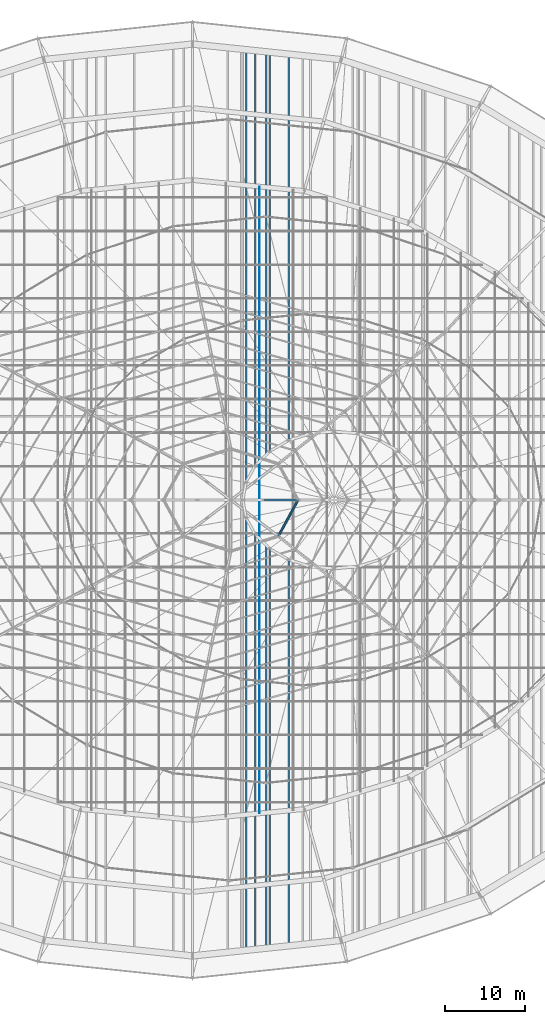
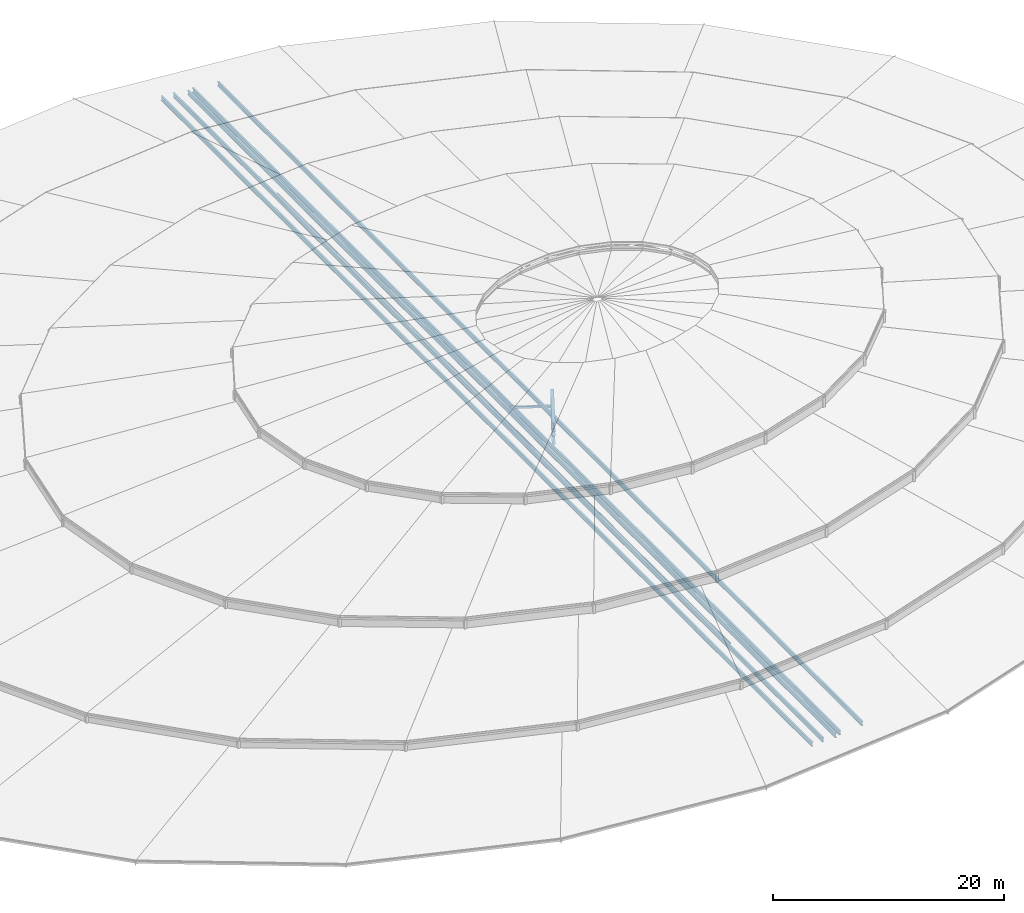
# One storey, part 64 of 184: 8 members, 2 beams.
"""IFC4 building model written with IfcOpenShell, lengths in metres."""

import ifcopenshell
import ifcopenshell.guid

model = None  # the IFC model being written
_history = None  # IfcOwnerHistory: only IFC2X3 demands one
_inside = {}  # id of a spatial element -> (the spatial element, [elements in it])
_under = {}  # id of a project, library or spatial element -> (it, [spatial elements below it])
_declared = {}  # id of a project -> (the project, [libraries it declares])
_typed = {}  # id of a type object -> (the type object, [elements of that type])
_made_of = {}  # id of a material, layer set ... -> (it, [elements and type objects made of it])


def new_model(schema):
    """Start an empty IFC model of exactly this schema.

    Asked for "IFC4X3", IfcOpenShell would pick the latest addendum, in which some entities
    have other attributes; the version numbers below select the first issue.
    IFC2X3 requires an IfcOwnerHistory on every rooted entity: one is made here for all.
    """
    global model, _history
    if schema == "IFC4X3":
        model = ifcopenshell.file(schema_version=(4, 3, 0, 0))
    else:
        model = ifcopenshell.file(schema=schema)
    _inside.clear()
    _under.clear()
    _declared.clear()
    _typed.clear()
    _made_of.clear()
    _history = None
    if model.schema == "IFC2X3":
        org = make("IfcOrganization", Name="unknown")
        user = make(
            "IfcPersonAndOrganization",
            ThePerson=make("IfcPerson", FamilyName="unknown"),
            TheOrganization=org,
        )
        app = make(
            "IfcApplication",
            ApplicationDeveloper=org,
            Version="unknown",
            ApplicationFullName="unknown",
            ApplicationIdentifier="unknown",
        )
        _history = make(
            "IfcOwnerHistory",
            OwningUser=user,
            OwningApplication=app,
            ChangeAction="ADDED",
            CreationDate=0,
        )
    return model


def make(cls, **values):
    """One entity of the class cls with the attributes given. An attribute that is None is left unset."""
    return model.create_entity(
        cls, **{name: value for name, value in values.items() if value is not None}
    )


def rooted(cls, **values):
    """An entity with a GlobalId (a new one), such as an element, a storey or a relation."""
    return make(cls, GlobalId=ifcopenshell.guid.new(), OwnerHistory=_history, **values)


def si_unit(unit_type, name, prefix=None):
    """IfcSIUnit, for example si_unit("LENGTHUNIT", "METRE", prefix="MILLI")."""
    return make("IfcSIUnit", UnitType=unit_type, Prefix=prefix, Name=name)


def assignment(units):
    """IfcUnitAssignment: the units of a project."""
    return None if units is None else make("IfcUnitAssignment", Units=units)


def point(xyz):
    """IfcCartesianPoint."""
    return None if xyz is None else make("IfcCartesianPoint", Coordinates=xyz)


def direction(xyz):
    """IfcDirection."""
    return None if xyz is None else make("IfcDirection", DirectionRatios=xyz)


def frame(location, z_axis=None, x_axis=None):
    """IfcAxis2Placement3D, a coordinate frame: its origin and axes. An axis left out is left unset."""
    return make(
        "IfcAxis2Placement3D",
        Location=point(location),
        Axis=direction(z_axis),
        RefDirection=direction(x_axis),
    )


def frame_2d(location, x_axis=None):
    """IfcAxis2Placement2D, a coordinate frame in the plane: its origin and x axis."""
    return make(
        "IfcAxis2Placement2D", Location=point(location), RefDirection=direction(x_axis)
    )


def origin():
    """The frame at (0, 0, 0) with its axes left unset."""
    return frame((0.0, 0.0, 0.0))


def origin_2d():
    """The frame at (0, 0) in the plane with its x axis left unset."""
    return frame_2d((0.0, 0.0))


def place(relative_to, where):
    """IfcLocalPlacement: puts the frame where relative to a parent placement (None: the world)."""
    return make(
        "IfcLocalPlacement", PlacementRelTo=relative_to, RelativePlacement=where
    )


def context(
    kind, dimensions, precision=None, world=None, true_north=None, identifier=None
):
    """IfcGeometricRepresentationContext, for example the 3D "Model" context."""
    return make(
        "IfcGeometricRepresentationContext",
        ContextIdentifier=identifier,
        ContextType=kind,
        CoordinateSpaceDimension=dimensions,
        Precision=precision,
        WorldCoordinateSystem=world,
        TrueNorth=true_north,
    )


def subcontext(parent, identifier, kind, view, scale=None):
    """IfcGeometricRepresentationSubContext, for example "Body" below "Model"."""
    return make(
        "IfcGeometricRepresentationSubContext",
        ContextIdentifier=identifier,
        ContextType=kind,
        ParentContext=parent,
        TargetScale=scale,
        TargetView=view,
    )


def project(units=None, contexts=None):
    """IfcProject with its units and contexts."""
    return rooted(
        "IfcProject",
        Name="project",
        RepresentationContexts=contexts,
        UnitsInContext=assignment(units),
    )


def spatial(cls, under=None, at=None, **own):
    """A site, building, storey or space (cls), placed at a placement, below another one or the project."""
    s = rooted(cls, ObjectPlacement=at, **own)
    if under is not None:
        _under.setdefault(under.id(), (under, []))[1].append(s)
    return s


def profile(cls, at=None, kind="AREA", **sizes):
    """A parametric profile (cls). Its sizes go by their IFC names, for example OverallWidth=200.0."""
    return make(cls, ProfileType=kind, Position=at, **sizes)


def hollow_rectangle(**sizes):
    """IfcRectangleHollowProfileDef."""
    return profile("IfcRectangleHollowProfileDef", **sizes)


def circle(**sizes):
    """IfcCircleProfileDef."""
    return profile("IfcCircleProfileDef", **sizes)


def i_section(**sizes):
    """IfcIShapeProfileDef."""
    return profile("IfcIShapeProfileDef", **sizes)


def extrude(swept, where, along, depth):
    """IfcExtrudedAreaSolid: the profile swept, set in the frame where, extruded along a direction by depth."""
    return make(
        "IfcExtrudedAreaSolid",
        SweptArea=swept,
        Position=where,
        ExtrudedDirection=direction(along),
        Depth=depth,
    )


def shape(context_of_items, identifier, shape_type, items):
    """IfcShapeRepresentation: the items that make up one representation, for example the "Body"."""
    return make(
        "IfcShapeRepresentation",
        ContextOfItems=context_of_items,
        RepresentationIdentifier=identifier,
        RepresentationType=shape_type,
        Items=items,
    )


def material(Name=None, Category=None):
    """IfcMaterial."""
    return make("IfcMaterial", Name=Name, Category=Category)


def material_profile(
    of_material, cross_section, Name=None, Category=None, Priority=None
):
    """IfcMaterialProfile: a cross section and its material."""
    return make(
        "IfcMaterialProfile",
        Name=Name,
        Material=of_material,
        Profile=cross_section,
        Priority=Priority,
        Category=Category,
    )


def profile_set(profiles, Name=None, composite=None):
    """IfcMaterialProfileSet."""
    return make(
        "IfcMaterialProfileSet",
        Name=Name,
        MaterialProfiles=profiles,
        CompositeProfile=composite,
    )


def made_of(thing, what):
    """Note that an element or type object is made of a material, layer set ...; save() writes the relation."""
    if what is not None:
        _made_of.setdefault(what.id(), (what, []))[1].append(thing)
    return thing


def type_object(cls, material=None, **own):
    """A type object (cls), such as IfcWallType, which elements share."""
    return made_of(rooted(cls, **own), material)


def element(
    cls,
    number,
    at=None,
    inside=None,
    cuts=None,
    type_object=None,
    material=None,
    context=None,
    identifier="Body",
    shape_type=None,
    held_by="IfcProductDefinitionShape",
    body=None,
    shapes=None,
    **own,
):
    """One element of the class cls, such as IfcWall. Its Tag is "e" and its number.

    at: its placement. inside: the storey or other place that contains it. cuts: it is an
    opening in that element (IfcRelVoidsElement). A single representation is given by context,
    identifier, shape_type and body (its items); several are given by shapes. held_by: the class
    of the entity that holds the representations. save() writes the other relations.
    """
    e = rooted(cls, Tag="e%d" % number, ObjectPlacement=at, **own)
    if body is not None:
        shapes = [shape(context, identifier, shape_type, body)]
    if shapes is not None:
        e.Representation = make(held_by, Representations=shapes)
    if inside is not None:
        _inside.setdefault(inside.id(), (inside, []))[1].append(e)
    if cuts is not None:
        rooted(
            "IfcRelVoidsElement", RelatingBuildingElement=cuts, RelatedOpeningElement=e
        )
    if type_object is not None:
        _typed.setdefault(type_object.id(), (type_object, []))[1].append(e)
    return made_of(e, material)


def aggregate(whole, parts):
    """IfcRelAggregates: a whole, such as a stair, and the parts it consists of."""
    return rooted("IfcRelAggregates", RelatingObject=whole, RelatedObjects=parts)


def save(model, path):
    """Write the relations noted so far, then the file.

    IfcRelAggregates (storeys below a building ...), IfcRelContainedInSpatialStructure (elements
    in a storey), IfcRelDefinesByType, IfcRelAssociatesMaterial and IfcRelDeclares: one each for
    every whole, place, type object, material and project.
    """
    for whole, parts in _under.values():
        aggregate(whole, parts)
    for where, things in _inside.values():
        rooted(
            "IfcRelContainedInSpatialStructure",
            RelatedElements=things,
            RelatingStructure=where,
        )
    for kind, things in _typed.values():
        rooted("IfcRelDefinesByType", RelatedObjects=things, RelatingType=kind)
    for what, things in _made_of.values():
        rooted("IfcRelAssociatesMaterial", RelatedObjects=things, RelatingMaterial=what)
    for by, libraries in _declared.values():
        rooted("IfcRelDeclares", RelatingContext=by, RelatedDefinitions=libraries)
    model.write(path)


model = new_model("IFC4")

# Units and contexts
model_context = context("Model", 3, precision=1e-05, world=origin(), true_north=direction((0.0, 1.0)))
body_context = subcontext(model_context, "Body", "Model", "MODEL_VIEW")
ifc_project = project(units=[si_unit("LENGTHUNIT", "METRE"), si_unit("AREAUNIT", "SQUARE_METRE"), si_unit("VOLUMEUNIT", "CUBIC_METRE"), si_unit("PLANEANGLEUNIT", "RADIAN"), si_unit("MASSUNIT", "GRAM", prefix="KILO")], contexts=[model_context])

# Site, building, storey
site_placement = place(None, origin())
site = spatial("IfcSite", under=ifc_project, at=site_placement, CompositionType="ELEMENT")
building_placement = place(site_placement, origin())
building = spatial("IfcBuilding", under=site, at=building_placement, Name="Kalgoora Escarpment Arena", CompositionType="ELEMENT")
storey_placement = place(building_placement, frame((0.0, 0.0, 27.60009765625)))
storey = spatial("IfcBuildingStorey", under=building, at=storey_placement, Name="Roof Level", CompositionType="ELEMENT", Elevation=27.60009765625)

# Beams
ifc_material_1 = material(Name="Structural steel Grade 350 (350 MPa)", Category="steel")
ifc_material_profile_1 = material_profile(ifc_material_1, i_section(OverallWidth=0.300048828125, OverallDepth=0.909912109375, WebThickness=0.011962890625, FlangeThickness=0.028076171875, at=origin_2d()))
ifc_profile_set_1 = profile_set([ifc_material_profile_1], Name="Structural steel Grade 350 (350 MPa)")
beam_type = type_object("IfcBeamType", Name="BM-HUB-RING", PredefinedType="USERDEFINED", material=ifc_profile_set_1)
for number, where, z_axis, x_axis, name in (
    (1, (103.1396484375, 59.474609375, -1.60009765625), (0.477662852258, 0.878543225785, 0.0), (-0.878543225785, 0.477662852258, 0.0), "Central ROOF TRUSS hub bottom ring 8"),
    (2, (103.1396484375, 59.474609375, -0.25), (0.477662852258, 0.878543225785, 0.0), (-0.878543225785, 0.477662852258, 0.0), "Central ROOF TRUSS hub top ring 8"),
):
    element("IfcBeam", number, at=place(storey_placement, frame(where, z_axis=z_axis, x_axis=x_axis)), inside=storey, type_object=beam_type, Name=name, ObjectType="GIRDER", PredefinedType="USERDEFINED", context=body_context, shape_type="SweptSolid", body=[
        extrude(i_section(OverallWidth=0.300048828125, OverallDepth=0.909912109375, WebThickness=0.011962890625, FlangeThickness=0.028076171875, at=origin_2d()), origin(), (0.0, 0.0, 1.0), 5.151123046875),
    ])

# Members
ifc_material_2 = material(Name="High-tensile spiral strand steel Grade 450 (350 MPa)", Category="steel")
ifc_material_profile_2 = material_profile(ifc_material_2, circle(Radius=0.035888671875, at=origin_2d()))
ifc_profile_set_2 = profile_set([ifc_material_profile_2], Name="High-tensile spiral strand steel Grade 450 (350 MPa)")
member_type_1 = type_object("IfcMemberType", Name="MEM-CABLE-72", PredefinedType="USERDEFINED", material=ifc_profile_set_2)
member_1_placement = place(storey_placement, frame((100.800048828125, 24.819091796875, -1.190185546875), z_axis=(0.0, 1.0, 0.0), x_axis=(-1.0, 0.0, 0.0)))
element("IfcMember", 3, at=member_1_placement, inside=storey, type_object=member_type_1, Name="Roof saddle pretensioning cable Y-32", ObjectType="CABLE", PredefinedType="USERDEFINED", context=body_context, shape_type="SweptSolid", body=[
    extrude(circle(Radius=0.035888671875, at=origin_2d()), origin(), (0.0, 0.0, 1.0), 78.36181640625),
])
ifc_material_3 = material(Name="Structural steel AS/NZS 3679 (300 MPa)", Category="steel")
ifc_material_profile_3 = material_profile(ifc_material_3, i_section(OverallWidth=0.19091796875, OverallDepth=0.4599609375, WebThickness=0.010009765625, FlangeThickness=0.01611328125, at=origin_2d()))
ifc_profile_set_3 = profile_set([ifc_material_profile_3], Name="Structural steel AS/NZS 3679 (300 MPa)")
member_type_2 = type_object("IfcMemberType", Name="MEM-CARRIER-CHORD", PredefinedType="CHORD", material=ifc_profile_set_3)
member_2_placement = place(storey_placement, frame((101.60009765625, 7.96142578125, -1.02001953125), z_axis=(0.0, 1.0, 0.0), x_axis=(-1.0, 0.0, 0.0)))
element("IfcMember", 4, at=member_2_placement, inside=storey, type_object=member_type_2, Name="Petal RP3 spanning carrier chord C07", PredefinedType="CHORD", context=body_context, shape_type="SweptSolid", body=[
    extrude(i_section(OverallWidth=0.19091796875, OverallDepth=0.4599609375, WebThickness=0.010009765625, FlangeThickness=0.01611328125, at=origin_2d()), origin(), (0.0, 0.0, 1.0), 112.0771484375),
])
member_3_placement = place(storey_placement, frame((104.409912109375, 8.255126953125, -0.900146484375), z_axis=(0.0, 1.0, 0.0), x_axis=(-1.0, 0.0, 0.0)))
element("IfcMember", 5, at=member_3_placement, inside=storey, type_object=member_type_2, Name="Crown dome spanning carrier chord C09", PredefinedType="CHORD", context=body_context, shape_type="SweptSolid", body=[
    extrude(i_section(OverallWidth=0.19091796875, OverallDepth=0.4599609375, WebThickness=0.010009765625, FlangeThickness=0.01611328125, at=origin_2d()), origin(), (0.0, 0.0, 1.0), 111.48974609375),
])
member_4_placement = place(storey_placement, frame((102.049072265625, 8.008544921875, -0.900146484375), z_axis=(0.0, 1.0, 0.0), x_axis=(-1.0, 0.0, 0.0)))
element("IfcMember", 6, at=member_4_placement, inside=storey, type_object=member_type_2, Name="Crown dome spanning carrier chord C10", PredefinedType="CHORD", context=body_context, shape_type="SweptSolid", body=[
    extrude(i_section(OverallWidth=0.19091796875, OverallDepth=0.4599609375, WebThickness=0.010009765625, FlangeThickness=0.01611328125, at=origin_2d()), origin(), (0.0, 0.0, 1.0), 111.98291015625),
])
member_5_placement = place(storey_placement, frame((100.2373046875, 7.819091796875, -0.900146484375), z_axis=(0.0, 1.0, 0.0), x_axis=(-1.0, 0.0, 0.0)))
element("IfcMember", 7, at=member_5_placement, inside=storey, type_object=member_type_2, Name="Crown dome spanning carrier chord C11", PredefinedType="CHORD", context=body_context, shape_type="SweptSolid", body=[
    extrude(i_section(OverallWidth=0.19091796875, OverallDepth=0.4599609375, WebThickness=0.010009765625, FlangeThickness=0.01611328125, at=origin_2d()), origin(), (0.0, 0.0, 1.0), 112.36181640625),
])
member_6_placement = place(storey_placement, frame((99.098388671875, 7.7001953125, -0.900146484375), z_axis=(0.0, 1.0, 0.0), x_axis=(-1.0, 0.0, 0.0)))
element("IfcMember", 8, at=member_6_placement, inside=storey, type_object=member_type_2, Name="Crown dome spanning carrier chord C12", PredefinedType="CHORD", context=body_context, shape_type="SweptSolid", body=[
    extrude(i_section(OverallWidth=0.19091796875, OverallDepth=0.4599609375, WebThickness=0.010009765625, FlangeThickness=0.01611328125, at=origin_2d()), origin(), (0.0, 0.0, 1.0), 112.599609375),
])
ifc_material_4 = material(Name="Structural steel C350 (350 MPa)", Category="steel")
ifc_material_profile_4 = material_profile(ifc_material_4, hollow_rectangle(XDim=0.10009765625, YDim=0.199951171875, WallThickness=0.009033203125, at=origin_2d()))
ifc_profile_set_4 = profile_set([ifc_material_profile_4], Name="Structural steel C350 (350 MPa)")
member_type_3 = type_object("IfcMemberType", Name="MEM-PURLIN-RHS", PredefinedType="PURLIN", material=ifc_profile_set_4)
member_7_placement = place(storey_placement, frame((103.1396484375, 59.474609375, -0.60009765625), z_axis=(0.477662852258, 0.878543225785, 0.0), x_axis=(-0.878543225785, 0.477662852258, 0.0)))
element("IfcMember", 9, at=member_7_placement, inside=storey, type_object=member_type_3, Name="Roof circumferential purlin ring 11 sector 8", PredefinedType="PURLIN", context=body_context, shape_type="SweptSolid", body=[
    extrude(hollow_rectangle(XDim=0.10009765625, YDim=0.199951171875, WallThickness=0.009033203125, at=origin_2d()), origin(), (0.0, 0.0, 1.0), 5.151123046875),
])
ifc_material_5 = material(Name="Structural steel C350 (350 MPa)", Category="steel")
ifc_material_profile_5 = material_profile(ifc_material_5, hollow_rectangle(XDim=0.199951171875, YDim=0.199951171875, WallThickness=0.009033203125, at=origin_2d()))
ifc_profile_set_5 = profile_set([ifc_material_profile_5], Name="Structural steel C350 (350 MPa)")
member_type_4 = type_object("IfcMemberType", Name="MEM-TRUSS-DIAG", PredefinedType="BRACE", material=ifc_profile_set_5)
member_8_placement = place(storey_placement, frame((105.60009765625, 64.0, -1.60009765625), z_axis=(-0.952026258195, 0.0, 0.30601634549), x_axis=(0.0, -1.0, 0.0)))
element("IfcMember", 10, at=member_8_placement, inside=storey, type_object=member_type_4, Name="Central ROOF TRUSS hub web diagonal 1-1", PredefinedType="BRACE", context=body_context, shape_type="SweptSolid", body=[
    extrude(hollow_rectangle(XDim=0.199951171875, YDim=0.199951171875, WallThickness=0.009033203125, at=origin_2d()), origin(), (0.0, 0.0, 1.0), 4.411865234375),
])

save(model, "model.ifc")
